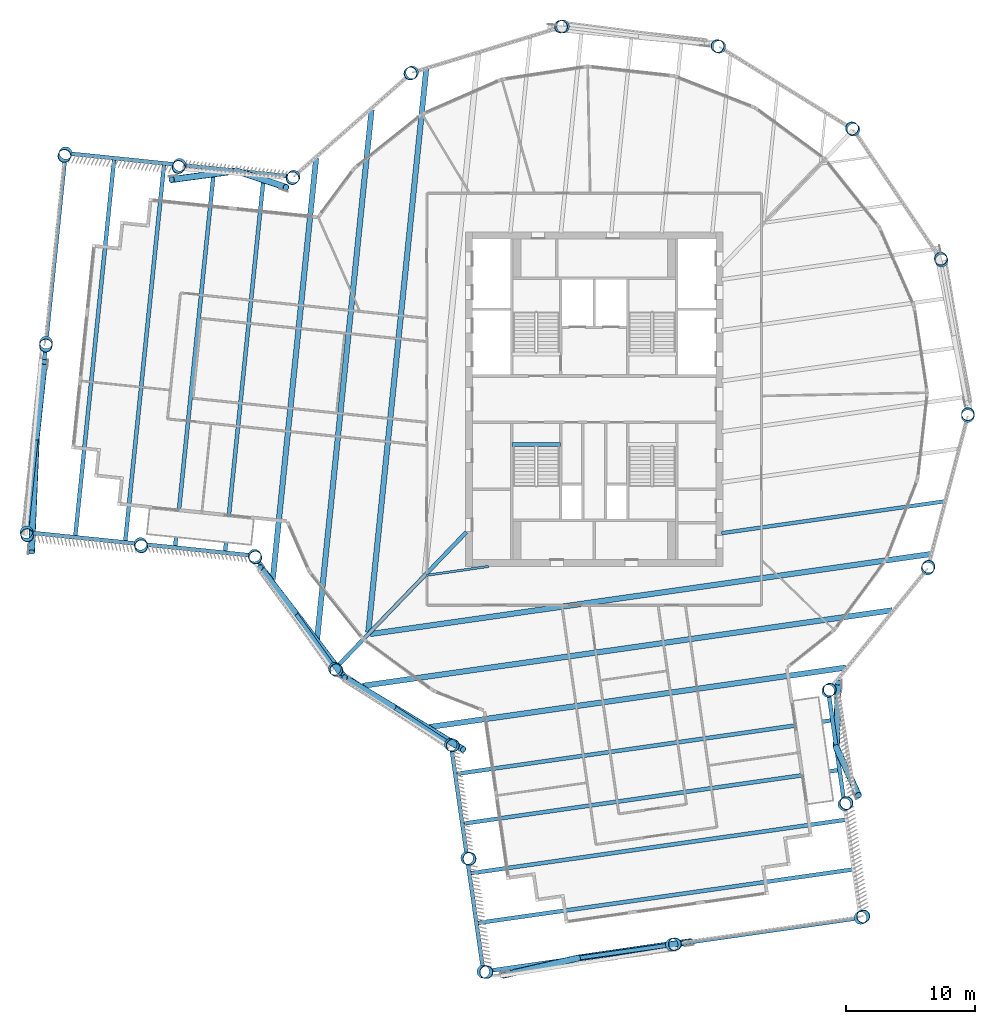
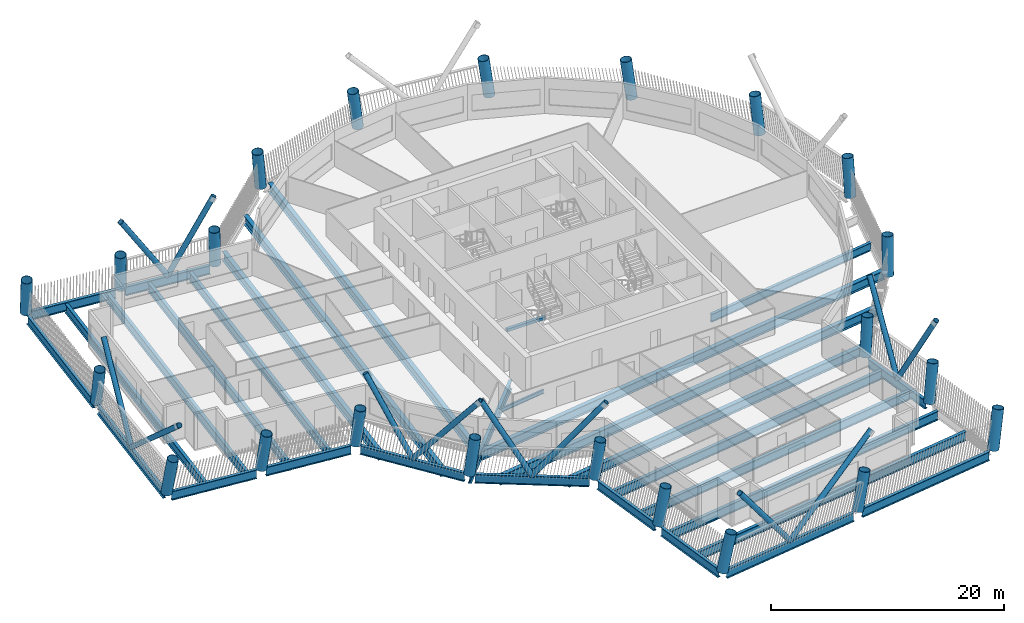
# One storey, part 1 of 22: 31 beams, 22 columns, 12 members.
"""IFC4 building model written with IfcOpenShell, lengths in metres."""

from ifc_helpers import new_model, si_unit, direction, frame, origin, origin_2d, place, context, subcontext, project, spatial, rectangle, hollow_circle, i_section, extrude, material, material_profile, profile_set, type_object, element, save


model = new_model("IFC4")

# Units and contexts
model_context = context("Model", 3, precision=1e-05, world=origin(), true_north=direction((0.0, 1.0)))
body_context = subcontext(model_context, "Body", "Model", "MODEL_VIEW")
ifc_project = project(units=[si_unit("LENGTHUNIT", "METRE"), si_unit("AREAUNIT", "SQUARE_METRE"), si_unit("VOLUMEUNIT", "CUBIC_METRE"), si_unit("PLANEANGLEUNIT", "RADIAN"), si_unit("MASSUNIT", "GRAM", prefix="KILO")], contexts=[model_context])

# Site, building, storey
site_placement = place(None, origin())
site = spatial("IfcSite", under=ifc_project, at=site_placement, CompositionType="ELEMENT")
building_placement = place(site_placement, origin())
building = spatial("IfcBuilding", under=site, at=building_placement, Name="Tarsis Ring Headquarters", CompositionType="ELEMENT")
storey_placement = place(building_placement, frame((0.0, 0.0, 263.0)))
storey = spatial("IfcBuildingStorey", under=building, at=storey_placement, Name="L61", CompositionType="ELEMENT", Elevation=263.0)

# Columns
ifc_material_1 = material(Name="Structural steel S355", Category="steel")
ifc_material_profile_1 = material_profile(ifc_material_1, hollow_circle(Radius=0.508056640625, WallThickness=0.0400390625, at=origin_2d()), Name="CHS 1016x40")
ifc_profile_set_1 = profile_set([ifc_material_profile_1], Name="Structural steel S355")
column_type = type_object("IfcColumnType", Name="XC Exo column CHS 1016x40", PredefinedType="COLUMN", material=ifc_profile_set_1)
for number, where, z_axis, x_axis, name in (
    (1, (-20.134765625, -20.93798828125, 0.001220703125), (0.093668433104, -0.088575056768, 0.991655526863), (0.687076138245, 0.726585425297, 0.0), "Exo column XC6 F1"),
    (2, (-11.120849609375, -26.83544921875, 0.001220703125), (0.119508111518, -0.048325005593, 0.991656445104), (0.374877293761, 0.927074438555, 0.0), "Exo column XC6 AK"),
):
    element("IfcColumn", number, at=place(storey_placement, frame(where, z_axis=z_axis, x_axis=x_axis)), inside=storey, type_object=column_type, Name=name, PredefinedType="COLUMN", context=body_context, shape_type="SweptSolid", body=[
        extrude(hollow_circle(Radius=0.508056640625, WallThickness=0.0400390625, at=origin_2d()), origin(), (0.0, 0.0, 1.0), 3.930419921875),
    ])
column_1_placement = place(storey_placement, frame((-9.863525390625, -35.6484375, 0.001220703125), z_axis=(0.157775390353, -0.042147597423, 0.986575139678), x_axis=(0.258086588588, 0.966121789833, 0.0)))
element("IfcColumn", 3, at=column_1_placement, inside=storey, type_object=column_type, Name="Exo column XC6 AI1", PredefinedType="COLUMN", context=body_context, shape_type="SweptSolid", body=[
    extrude(hollow_circle(Radius=0.508056640625, WallThickness=0.0400390625, at=origin_2d()), origin(), (0.0, 0.0, 1.0), 3.950439453125),
])
column_2_placement = place(storey_placement, frame((-8.60595703125, -44.46142578125, 0.00146484375), z_axis=(0.195315619967, -0.036042209658, 0.980077939615), x_axis=(0.181469289952, 0.983396612158, 0.0)))
element("IfcColumn", 4, at=column_2_placement, inside=storey, type_object=column_type, Name="Exo column XC6 AT1", PredefinedType="COLUMN", context=body_context, shape_type="SweptSolid", body=[
    extrude(hollow_circle(Radius=0.508056640625, WallThickness=0.0400390625, at=origin_2d()), origin(), (0.0, 0.0, 1.0), 3.97607421875),
])
column_3_placement = place(storey_placement, frame((6.045654296875, -42.370849609375, 0.00146484375), z_axis=(0.186005681244, 0.028180814426, 0.982144453858), x_axis=(-0.149795690786, 0.988716972152, 0.0)))
element("IfcColumn", 5, at=column_3_placement, inside=storey, type_object=column_type, Name="Exo column XC6 AT2", PredefinedType="COLUMN", context=body_context, shape_type="SweptSolid", body=[
    extrude(hollow_circle(Radius=0.508056640625, WallThickness=0.0400390625, at=origin_2d()), origin(), (0.0, 0.0, 1.0), 3.9677734375),
])
column_4_placement = place(storey_placement, frame((20.697265625, -40.2802734375, 0.00146484375), z_axis=(0.1758522037, 0.092285566397, 0.980081311264), x_axis=(-0.464688470375, 0.885474237627, 0.0)))
element("IfcColumn", 6, at=column_4_placement, inside=storey, type_object=column_type, Name="Exo column XC6 AT3", PredefinedType="COLUMN", context=body_context, shape_type="SweptSolid", body=[
    extrude(hollow_circle(Radius=0.508056640625, WallThickness=0.0400390625, at=origin_2d()), origin(), (0.0, 0.0, 1.0), 3.97607421875),
])
column_5_placement = place(storey_placement, frame((19.439697265625, -31.46728515625, 0.001220703125), z_axis=(0.138184995531, 0.087014523125, 0.986576596), x_axis=(-0.532853418673, 0.846207559768, 0.0)))
element("IfcColumn", 7, at=column_5_placement, inside=storey, type_object=column_type, Name="Exo column XC6 AO1", PredefinedType="COLUMN", context=body_context, shape_type="SweptSolid", body=[
    extrude(hollow_circle(Radius=0.508056640625, WallThickness=0.0400390625, at=origin_2d()), origin(), (0.0, 0.0, 1.0), 3.950439453125),
])
for number, where, z_axis, x_axis, name in (
    (8, (18.182373046875, -22.654296875, 0.001220703125), (0.099817969366, 0.081556312244, 0.991657673255), (-0.632712821232, 0.774386522254, 0.0), "Exo column XC6 AJ"),
    (9, (25.90380859375, -13.145751953125, 0.001220703125), (0.05733151109, 0.115470508252, 0.991655010354), (-0.895676376292, 0.444706452565, 0.0), "Exo column XC6 R1"),
    (10, (29.01953125, -1.2998046875, 0.001220703125), (0.004596466785, 0.128825298819, 0.991656651708), (-0.999364081409, 0.035657156232, 0.0), "Exo column XC6 R2"),
    (11, (26.975341796875, 10.77734375, 0.001220703125), (-0.048884156965, 0.119259950919, 0.991658914801), (-0.925285732033, -0.379270766203, 0.0), "Exo column XC6 R3"),
    (12, (20.134765625, 20.93798828125, 0.001220703125), (-0.093668433104, 0.088575056768, 0.991655526863), (-0.687076138245, -0.726585425297, 0.0), "Exo column XC6 R4"),
    (13, (9.71435546875, 27.3759765625, 0.001220703125), (-0.121868291211, 0.042051393043, 0.991655081135), (-0.326183706751, -0.945306399772, 0.0), "Exo column XC6 R5"),
    (14, (-2.433349609375, 28.946533203125, 0.001220703125), (-0.128389903236, -0.011925912637, 0.991652058615), (0.092490088147, -0.995713605207, 0.0), "Exo column XC6 R6"),
    (15, (-14.1484375, 25.3701171875, 0.001220703125), (-0.112053932449, -0.06379123538, 0.991652456515), (0.494737567664, -0.869042426549, 0.0), "Exo column XC6 R7"),
    (16, (-23.347900390625, 17.28271484375, 0.001220703125), (-0.075779516055, -0.104290006112, 0.99165571625), (0.808986039916, -0.587827855091, 0.0), "Exo column XC6 BJ"),
):
    element("IfcColumn", number, at=place(storey_placement, frame(where, z_axis=z_axis, x_axis=x_axis)), inside=storey, type_object=column_type, Name=name, PredefinedType="COLUMN", context=body_context, shape_type="SweptSolid", body=[
        extrude(hollow_circle(Radius=0.508056640625, WallThickness=0.0400390625, at=origin_2d()), origin(), (0.0, 0.0, 1.0), 3.930419921875),
    ])
column_6_placement = place(storey_placement, frame((-32.203369140625, 18.194580078125, 0.001220703125), z_axis=(-0.079103872655, -0.142881369983, 0.986573611771), x_axis=(0.874870301458, -0.484357260323, 0.0)))
element("IfcColumn", 17, at=column_6_placement, inside=storey, type_object=column_type, Name="Exo column XC6 BO1", PredefinedType="COLUMN", context=body_context, shape_type="SweptSolid", body=[
    extrude(hollow_circle(Radius=0.508056640625, WallThickness=0.0400390625, at=origin_2d()), origin(), (0.0, 0.0, 1.0), 3.950439453125),
])
column_7_placement = place(storey_placement, frame((-41.058837890625, 19.1064453125, 0.00146484375), z_axis=(-0.082216041714, -0.180764769833, 0.980083986438), x_axis=(0.910271153379, -0.414012593198, 0.0)))
element("IfcColumn", 18, at=column_7_placement, inside=storey, type_object=column_type, Name="Exo column XC6 BT3", PredefinedType="COLUMN", context=body_context, shape_type="SweptSolid", body=[
    extrude(hollow_circle(Radius=0.508056640625, WallThickness=0.0400390625, at=origin_2d()), origin(), (0.0, 0.0, 1.0), 3.97607421875),
])
column_8_placement = place(storey_placement, frame((-42.574951171875, 4.38427734375, 0.00146484375), z_axis=(-0.017597645164, -0.18729801356, 0.982145496859), x_axis=(0.995615207879, -0.093543347389, 0.0)))
element("IfcColumn", 19, at=column_8_placement, inside=storey, type_object=column_type, Name="Exo column XC6 BT2", PredefinedType="COLUMN", context=body_context, shape_type="SweptSolid", body=[
    extrude(hollow_circle(Radius=0.508056640625, WallThickness=0.0400390625, at=origin_2d()), origin(), (0.0, 0.0, 1.0), 3.9677734375),
])
column_9_placement = place(storey_placement, frame((-44.0908203125, -10.337890625, 0.00146484375), z_axis=(0.04697205992, -0.192923153293, 0.980088915614), x_axis=(0.971615756317, 0.236564625583, 0.0)))
element("IfcColumn", 20, at=column_9_placement, inside=storey, type_object=column_type, Name="Exo column XC6 BT1", PredefinedType="COLUMN", context=body_context, shape_type="SweptSolid", body=[
    extrude(hollow_circle(Radius=0.508056640625, WallThickness=0.0400390625, at=origin_2d()), origin(), (0.0, 0.0, 1.0), 3.97607421875),
])
column_10_placement = place(storey_placement, frame((-35.235595703125, -11.249755859375, 0.001220703125), z_axis=(0.051046851175, -0.155118155508, 0.986576189058), x_axis=(0.949887353335, 0.312592411894, 0.0)))
element("IfcColumn", 21, at=column_10_placement, inside=storey, type_object=column_type, Name="Exo column XC6 BI1", PredefinedType="COLUMN", context=body_context, shape_type="SweptSolid", body=[
    extrude(hollow_circle(Radius=0.508056640625, WallThickness=0.0400390625, at=origin_2d()), origin(), (0.0, 0.0, 1.0), 3.950439453125),
])
column_11_placement = place(storey_placement, frame((-26.380126953125, -12.16162109375, 0.001220703125), z_axis=(0.05497132159, -0.116588893361, 0.991657795687), x_axis=(0.904501744362, 0.426469922089, 0.0)))
element("IfcColumn", 22, at=column_11_placement, inside=storey, type_object=column_type, Name="Exo column XC6 BK", PredefinedType="COLUMN", context=body_context, shape_type="SweptSolid", body=[
    extrude(hollow_circle(Radius=0.508056640625, WallThickness=0.0400390625, at=origin_2d()), origin(), (0.0, 0.0, 1.0), 3.930419921875),
])

# Beams
ifc_material_profile_2 = material_profile(ifc_material_1, i_section(OverallWidth=0.177734375, OverallDepth=0.406494140625, WebThickness=0.0078125, FlangeThickness=0.0126953125, at=origin_2d()), Name="W16x40")
ifc_profile_set_2 = profile_set([ifc_material_profile_2], Name="Structural steel S355")
beam_type_1 = type_object("IfcBeamType", Name="FB Floor beam W16x40", PredefinedType="JOIST", material=ifc_profile_set_2)
beam_1_placement = place(storey_placement, frame((-13.0224609375, -13.676513671875, -0.36328125), z_axis=(0.989972449802, 0.141260569983, 0.0), x_axis=(-0.141260569983, 0.989972449802, 0.0)))
element("IfcBeam", 23, at=beam_1_placement, inside=storey, type_object=beam_type_1, Name="Floor beam FB1", PredefinedType="JOIST", context=body_context, shape_type="SweptSolid", body=[
    extrude(i_section(OverallWidth=0.177734375, OverallDepth=0.406494140625, WebThickness=0.0078125, FlangeThickness=0.0126953125, at=origin_2d()), origin(), (0.0, 0.0, 1.0), 4.889404296875),
])
ifc_material_profile_3 = material_profile(ifc_material_1, i_section(OverallWidth=0.2919921875, OverallDepth=0.835693359375, WebThickness=0.013916015625, FlangeThickness=0.018798828125, at=origin_2d()), Name="W33x118")
ifc_profile_set_3 = profile_set([ifc_material_profile_3], Name="Structural steel S355")
beam_type_2 = type_object("IfcBeamType", Name="FB Floor beam W33x118", PredefinedType="JOIST", material=ifc_profile_set_3)
beam_2_placement = place(storey_placement, frame((9.901123046875, -10.40576171875, -0.577880859375), z_axis=(0.989974055953, 0.141249313415, 0.0), x_axis=(-0.141249313415, 0.989974055953, 0.0)))
element("IfcBeam", 24, at=beam_2_placement, inside=storey, type_object=beam_type_2, Name="Floor beam FB7", PredefinedType="JOIST", context=body_context, shape_type="SweptSolid", body=[
    extrude(i_section(OverallWidth=0.2919921875, OverallDepth=0.835693359375, WebThickness=0.013916015625, FlangeThickness=0.018798828125, at=origin_2d()), origin(), (0.0, 0.0, 1.0), 17.483154296875),
])
ifc_material_profile_4 = material_profile(ifc_material_1, i_section(OverallWidth=0.309814453125, OverallDepth=0.949951171875, WebThickness=0.0244140625, FlangeThickness=0.0439453125, at=origin_2d()), Name="W36x256")
ifc_profile_set_4 = profile_set([ifc_material_profile_4], Name="Structural steel S355")
beam_type_3 = type_object("IfcBeamType", Name="FB Floor beam W36x256", PredefinedType="JOIST", material=ifc_profile_set_4)
for number, where, z_axis, x_axis, name in (
    (25, (-10.7412109375, -29.10888671875, -0.635009765625), (0.98997497596, 0.141242865211, 0.0), (-0.141242865211, 0.98997497596, 0.0), "Floor beam FB11"),
    (26, (-10.1904296875, -32.969970703125, -0.635009765625), (0.989973818343, 0.141250978739, 0.0), (-0.141250978739, 0.989973818343, 0.0), "Floor beam FB11"),
):
    element("IfcBeam", number, at=place(storey_placement, frame(where, z_axis=z_axis, x_axis=x_axis)), inside=storey, type_object=beam_type_3, Name=name, PredefinedType="JOIST", context=body_context, shape_type="SweptSolid", body=[
        extrude(i_section(OverallWidth=0.309814453125, OverallDepth=0.949951171875, WebThickness=0.0244140625, FlangeThickness=0.0439453125, at=origin_2d()), origin(), (0.0, 0.0, 1.0), 29.490234375),
    ])
beam_3_placement = place(storey_placement, frame((-9.639404296875, -36.830810546875, -0.635009765625), z_axis=(0.989974810802, 0.141244022806, 0.0), x_axis=(-0.141244022806, 0.989974810802, 0.0)))
element("IfcBeam", 27, at=beam_3_placement, inside=storey, type_object=beam_type_3, Name="Floor beam FB11", PredefinedType="JOIST", context=body_context, shape_type="SweptSolid", body=[
    extrude(i_section(OverallWidth=0.309814453125, OverallDepth=0.949951171875, WebThickness=0.0244140625, FlangeThickness=0.0439453125, at=origin_2d()), origin(), (0.0, 0.0, 1.0), 29.489990234375),
])
beam_4_placement = place(storey_placement, frame((-9.088623046875, -40.691650390625, -0.635009765625), z_axis=(0.98997497596, 0.141242865211, 0.0), x_axis=(-0.141242865211, 0.98997497596, 0.0)))
element("IfcBeam", 28, at=beam_4_placement, inside=storey, type_object=beam_type_3, Name="Floor beam FB11", PredefinedType="JOIST", context=body_context, shape_type="SweptSolid", body=[
    extrude(i_section(OverallWidth=0.309814453125, OverallDepth=0.949951171875, WebThickness=0.0244140625, FlangeThickness=0.0439453125, at=origin_2d()), origin(), (0.0, 0.0, 1.0), 29.490234375),
])
for number, where, z_axis, x_axis, name in (
    (29, (-25.645751953125, 17.464111328125, -0.635009765625), (-0.102450040527, -0.994738151071, 0.0), (0.994738151071, -0.102450040527, 0.0), "Floor beam FB11"),
    (30, (-29.525390625, 17.86376953125, -0.635009765625), (-0.102441004993, -0.994739081617, 0.0), (0.994739081617, -0.102441004993, 0.0), "Floor beam FB11"),
):
    element("IfcBeam", number, at=place(storey_placement, frame(where, z_axis=z_axis, x_axis=x_axis)), inside=storey, type_object=beam_type_3, Name=name, PredefinedType="JOIST", context=body_context, shape_type="SweptSolid", body=[
        extrude(i_section(OverallWidth=0.309814453125, OverallDepth=0.949951171875, WebThickness=0.0244140625, FlangeThickness=0.0439453125, at=origin_2d()), origin(), (0.0, 0.0, 1.0), 29.489990234375),
    ])
beam_5_placement = place(storey_placement, frame((-33.40478515625, 18.26318359375, -0.635009765625), z_axis=(-0.10244184862, -0.994738994738, 0.0), x_axis=(0.994738994738, -0.10244184862, 0.0)))
element("IfcBeam", 31, at=beam_5_placement, inside=storey, type_object=beam_type_3, Name="Floor beam FB11", PredefinedType="JOIST", context=body_context, shape_type="SweptSolid", body=[
    extrude(i_section(OverallWidth=0.309814453125, OverallDepth=0.949951171875, WebThickness=0.0244140625, FlangeThickness=0.0439453125, at=origin_2d()), origin(), (0.0, 0.0, 1.0), 29.48974609375),
])
beam_6_placement = place(storey_placement, frame((-37.2841796875, 18.662841796875, -0.635009765625), z_axis=(-0.102449196834, -0.994738237964, 0.0), x_axis=(0.994738237964, -0.102449196834, 0.0)))
element("IfcBeam", 32, at=beam_6_placement, inside=storey, type_object=beam_type_3, Name="Floor beam FB11", PredefinedType="JOIST", context=body_context, shape_type="SweptSolid", body=[
    extrude(i_section(OverallWidth=0.309814453125, OverallDepth=0.949951171875, WebThickness=0.0244140625, FlangeThickness=0.0439453125, at=origin_2d()), origin(), (0.0, 0.0, 1.0), 29.490234375),
])
beam_type_4 = type_object("IfcBeamType", Name="FB Floor beam W36x256 spine", PredefinedType="BEAM", material=ifc_profile_set_4)
beam_7_placement = place(storey_placement, frame((-9.9306640625, -10.32666015625, -0.635009765625), z_axis=(-0.693144649425, -0.72079851205, 0.0), x_axis=(0.72079851205, -0.693144649425, 0.0)))
element("IfcBeam", 33, at=beam_7_placement, inside=storey, type_object=beam_type_4, Name="Floor beam SB11", PredefinedType="BEAM", context=body_context, shape_type="SweptSolid", body=[
    extrude(i_section(OverallWidth=0.309814453125, OverallDepth=0.949951171875, WebThickness=0.0244140625, FlangeThickness=0.0439453125, at=origin_2d()), origin(), (0.0, 0.0, 1.0), 14.6640625),
])
ifc_material_profile_5 = material_profile(ifc_material_1, i_section(OverallWidth=0.42431640625, OverallDepth=0.947509765625, WebThickness=0.02392578125, FlangeThickness=0.042724609375, at=origin_2d()), Name="W36x302")
ifc_profile_set_5 = profile_set([ifc_material_profile_5], Name="Structural steel S355")
beam_type_5 = type_object("IfcBeamType", Name="FB Floor beam W36x302", PredefinedType="JOIST", material=ifc_profile_set_5)
beam_8_placement = place(storey_placement, frame((-17.413330078125, -18.242431640625, -0.6337890625), z_axis=(0.989974676474, 0.141244964297, 0.0), x_axis=(-0.141244964297, 0.989974676474, 0.0)))
element("IfcBeam", 34, at=beam_8_placement, inside=storey, type_object=beam_type_5, Name="Floor beam FB12", PredefinedType="JOIST", context=body_context, shape_type="SweptSolid", body=[
    extrude(i_section(OverallWidth=0.42431640625, OverallDepth=0.947509765625, WebThickness=0.02392578125, FlangeThickness=0.042724609375, at=origin_2d()), origin(), (0.0, 0.0, 1.0), 43.986572265625),
])
beam_9_placement = place(storey_placement, frame((-17.953369140625, -22.259033203125, -0.6337890625), z_axis=(0.989974759898, 0.141244379585, 0.0), x_axis=(-0.141244379585, 0.989974759898, 0.0)))
element("IfcBeam", 35, at=beam_9_placement, inside=storey, type_object=beam_type_5, Name="Floor beam FB12", PredefinedType="JOIST", context=body_context, shape_type="SweptSolid", body=[
    extrude(i_section(OverallWidth=0.42431640625, OverallDepth=0.947509765625, WebThickness=0.02392578125, FlangeThickness=0.042724609375, at=origin_2d()), origin(), (0.0, 0.0, 1.0), 41.523681640625),
])
beam_10_placement = place(storey_placement, frame((-13.010009765625, -25.4931640625, -0.6337890625), z_axis=(0.98997428219, 0.141247727781, 0.0), x_axis=(-0.141247727781, 0.98997428219, 0.0)))
element("IfcBeam", 36, at=beam_10_placement, inside=storey, type_object=beam_type_5, Name="Floor beam FB12", PredefinedType="JOIST", context=body_context, shape_type="SweptSolid", body=[
    extrude(i_section(OverallWidth=0.42431640625, OverallDepth=0.947509765625, WebThickness=0.02392578125, FlangeThickness=0.042724609375, at=origin_2d()), origin(), (0.0, 0.0, 1.0), 32.875244140625),
])
beam_11_placement = place(storey_placement, frame((-13.041748046875, 25.642333984375, -0.6337890625), z_axis=(-0.102442205464, -0.994738957988, 0.0), x_axis=(0.994738957988, -0.102442205464, 0.0)))
element("IfcBeam", 37, at=beam_11_placement, inside=storey, type_object=beam_type_5, Name="Floor beam FB12", PredefinedType="JOIST", context=body_context, shape_type="SweptSolid", body=[
    extrude(i_section(OverallWidth=0.42431640625, OverallDepth=0.947509765625, WebThickness=0.02392578125, FlangeThickness=0.042724609375, at=origin_2d()), origin(), (0.0, 0.0, 1.0), 43.98681640625),
])
beam_12_placement = place(storey_placement, frame((-17.286376953125, 22.49560546875, -0.6337890625), z_axis=(-0.102445390802, -0.994738629944, 0.0), x_axis=(0.994738629944, -0.102445390802, 0.0)))
element("IfcBeam", 38, at=beam_12_placement, inside=storey, type_object=beam_type_5, Name="Floor beam FB12", PredefinedType="JOIST", context=body_context, shape_type="SweptSolid", body=[
    extrude(i_section(OverallWidth=0.42431640625, OverallDepth=0.947509765625, WebThickness=0.02392578125, FlangeThickness=0.042724609375, at=origin_2d()), origin(), (0.0, 0.0, 1.0), 41.523681640625),
])
beam_13_placement = place(storey_placement, frame((-21.597412109375, 18.705810546875, -0.6337890625), z_axis=(-0.102445108224, -0.994738659046, 0.0), x_axis=(0.994738659046, -0.102445108224, 0.0)))
element("IfcBeam", 39, at=beam_13_placement, inside=storey, type_object=beam_type_5, Name="Floor beam FB12", PredefinedType="JOIST", context=body_context, shape_type="SweptSolid", body=[
    extrude(i_section(OverallWidth=0.42431640625, OverallDepth=0.947509765625, WebThickness=0.02392578125, FlangeThickness=0.042724609375, at=origin_2d()), origin(), (0.0, 0.0, 1.0), 32.875244140625),
])
ifc_material_2 = material(Name="Concrete C40/50", Category="concrete")
ifc_material_profile_6 = material_profile(ifc_material_2, rectangle(XDim=0.300048828125, YDim=0.300048828125, at=origin_2d()), Name="Stair head beam 300x300 C40/50")
ifc_profile_set_6 = profile_set([ifc_material_profile_6], Name="Concrete C40/50")
beam_type_6 = type_object("IfcBeamType", Name="Stair head beam 300x300 C40/50", PredefinedType="BEAM", material=ifc_profile_set_6)
beam_14_placement = place(storey_placement, frame((-6.39990234375, -3.510009765625, -0.31005859375), z_axis=(1.0, 0.0, 0.0), x_axis=(0.0, 1.0, 0.0)))
element("IfcBeam", 40, at=beam_14_placement, inside=storey, type_object=beam_type_6, Name="Stair head beam L61 Exit stair C", PredefinedType="BEAM", context=body_context, shape_type="SweptSolid", body=[
    extrude(rectangle(XDim=0.300048828125, YDim=0.300048828125, at=origin_2d()), origin(), (0.0, 0.0, 1.0), 3.7998046875),
])

# Members
ifc_material_profile_7 = material_profile(ifc_material_1, hollow_circle(Radius=0.25390625, WallThickness=0.02001953125, at=origin_2d()), Name="CHS 508x20")
ifc_profile_set_7 = profile_set([ifc_material_profile_7], Name="Structural steel S355")
member_type = type_object("IfcMemberType", Name="XD X brace CHS 508x20", PredefinedType="BRACE", material=ifc_profile_set_7)
member_1_placement = place(storey_placement, frame((-15.6279296875, -23.88671875, 0.0), z_axis=(0.540786897172, -0.329476912222, 0.773947347149), x_axis=(0.520295201453, 0.853986477261, 0.0)))
element("IfcMember", 41, at=member_1_placement, inside=storey, type_object=member_type, Name="X brace XD2", PredefinedType="BRACE", context=body_context, shape_type="SweptSolid", body=[
    extrude(hollow_circle(Radius=0.25390625, WallThickness=0.02001953125, at=origin_2d()), origin(), (0.0, 0.0, 1.0), 10.078369140625),
])
member_2_placement = place(storey_placement, frame((-15.6279296875, -23.88671875, 0.0), z_axis=(-0.420552163655, 0.252364030233, 0.871463294631), x_axis=(-0.514544826152, -0.857463481368, 0.0)))
element("IfcMember", 42, at=member_2_placement, inside=storey, type_object=member_type, Name="X brace XD2", PredefinedType="BRACE", context=body_context, shape_type="SweptSolid", body=[
    extrude(hollow_circle(Radius=0.25390625, WallThickness=0.02001953125, at=origin_2d()), origin(), (0.0, 0.0, 1.0), 8.950439453125),
])
member_3_placement = place(storey_placement, frame((-1.280517578125, -43.416015625, 0.0), z_axis=(0.743975763791, 0.108369628441, 0.659360361656), x_axis=(-0.144141699086, 0.989557057771, 0.0)))
element("IfcMember", 43, at=member_3_placement, inside=storey, type_object=member_type, Name="X brace XD2", PredefinedType="BRACE", context=body_context, shape_type="SweptSolid", body=[
    extrude(hollow_circle(Radius=0.25390625, WallThickness=0.02001953125, at=origin_2d()), origin(), (0.0, 0.0, 1.0), 11.829833984375),
])
member_4_placement = place(storey_placement, frame((-1.280517578125, -43.416015625, 0.0), z_axis=(-0.589209908645, -0.134678687909, 0.796676430289), x_axis=(0.22282816222, -0.974857738402, 0.0)))
element("IfcMember", 44, at=member_4_placement, inside=storey, type_object=member_type, Name="X brace XD2", PredefinedType="BRACE", context=body_context, shape_type="SweptSolid", body=[
    extrude(hollow_circle(Radius=0.25390625, WallThickness=0.02001953125, at=origin_2d()), origin(), (0.0, 0.0, 1.0), 9.790771484375),
])
member_5_placement = place(storey_placement, frame((18.810791015625, -27.06103515625, 0.0), z_axis=(0.016230496256, 0.543774150443, 0.839074635716), x_axis=(-0.999554849956, 0.029834576058, 0.0)))
element("IfcMember", 45, at=member_5_placement, inside=storey, type_object=member_type, Name="X brace XD2", PredefinedType="BRACE", context=body_context, shape_type="SweptSolid", body=[
    extrude(hollow_circle(Radius=0.25390625, WallThickness=0.02001953125, at=origin_2d()), origin(), (0.0, 0.0, 1.0), 9.2958984375),
])
member_6_placement = place(storey_placement, frame((18.810791015625, -27.06103515625, 0.0), z_axis=(0.19477435071, -0.421183937599, 0.885814338908), x_axis=(0.907646105053, 0.419736283852, 0.0)))
element("IfcMember", 46, at=member_6_placement, inside=storey, type_object=member_type, Name="X brace XD2", PredefinedType="BRACE", context=body_context, shape_type="SweptSolid", body=[
    extrude(hollow_circle(Radius=0.25390625, WallThickness=0.02001953125, at=origin_2d()), origin(), (0.0, 0.0, 1.0), 8.805419921875),
])
member_7_placement = place(storey_placement, frame((-27.775634765625, 17.73876953125, 0.0), z_axis=(-0.541493693409, -0.072903464435, 0.837537858769), x_axis=(0.133430137205, -0.991058221542, 0.0)))
element("IfcMember", 47, at=member_7_placement, inside=storey, type_object=member_type, Name="X brace XD2", PredefinedType="BRACE", context=body_context, shape_type="SweptSolid", body=[
    extrude(hollow_circle(Radius=0.25390625, WallThickness=0.02001953125, at=origin_2d()), origin(), (0.0, 0.0, 1.0), 9.31298828125),
])
member_8_placement = place(storey_placement, frame((-27.775634765625, 17.73876953125, 0.0), z_axis=(0.436857963236, -0.145804540261, 0.887635148018), x_axis=(0.316589697685, 0.94856257744, 0.0)))
element("IfcMember", 48, at=member_8_placement, inside=storey, type_object=member_type, Name="X brace XD2", PredefinedType="BRACE", context=body_context, shape_type="SweptSolid", body=[
    extrude(hollow_circle(Radius=0.25390625, WallThickness=0.02001953125, at=origin_2d()), origin(), (0.0, 0.0, 1.0), 8.787353515625),
])
member_9_placement = place(storey_placement, frame((-43.3330078125, -2.976318359375, 0.0), z_axis=(-0.031293060454, -0.751446015966, 0.659052068851), x_axis=(0.99913402353, -0.041607727948, 0.0)))
element("IfcMember", 49, at=member_9_placement, inside=storey, type_object=member_type, Name="X brace XD2", PredefinedType="BRACE", context=body_context, shape_type="SweptSolid", body=[
    extrude(hollow_circle(Radius=0.25390625, WallThickness=0.02001953125, at=origin_2d()), origin(), (0.0, 0.0, 1.0), 11.835205078125),
])
member_10_placement = place(storey_placement, frame((-43.3330078125, -2.976318359375, 0.0), z_axis=(0.064503851727, 0.600222688372, 0.797227682332), x_axis=(-0.994275013267, 0.106851289153, 0.0)))
element("IfcMember", 50, at=member_10_placement, inside=storey, type_object=member_type, Name="X brace XD2", PredefinedType="BRACE", context=body_context, shape_type="SweptSolid", body=[
    extrude(hollow_circle(Radius=0.25390625, WallThickness=0.02001953125, at=origin_2d()), origin(), (0.0, 0.0, 1.0), 9.783935546875),
])
member_11_placement = place(storey_placement, frame((-23.257568359375, -16.5498046875, 0.0), z_axis=(0.383548645484, -0.503872407381, 0.773952862665), x_axis=(0.795701236606, 0.605689311499, 0.0)))
element("IfcMember", 51, at=member_11_placement, inside=storey, type_object=member_type, Name="X brace XD2", PredefinedType="BRACE", context=body_context, shape_type="SweptSolid", body=[
    extrude(hollow_circle(Radius=0.25390625, WallThickness=0.02001953125, at=origin_2d()), origin(), (0.0, 0.0, 1.0), 10.078125),
])
member_12_placement = place(storey_placement, frame((-23.257568359375, -16.5498046875, 0.0), z_axis=(-0.299663531313, 0.388258757029, 0.871468247036), x_axis=(-0.791634682777, -0.61099470458, 0.0)))
element("IfcMember", 52, at=member_12_placement, inside=storey, type_object=member_type, Name="X brace XD2", PredefinedType="BRACE", context=body_context, shape_type="SweptSolid", body=[
    extrude(hollow_circle(Radius=0.25390625, WallThickness=0.02001953125, at=origin_2d()), origin(), (0.0, 0.0, 1.0), 8.950439453125),
])

# Beams
ifc_material_profile_8 = material_profile(ifc_material_1, i_section(OverallWidth=0.309814453125, OverallDepth=0.93212890625, WebThickness=0.02099609375, FlangeThickness=0.034423828125, at=origin_2d()), Name="W36x210")
ifc_profile_set_8 = profile_set([ifc_material_profile_8], Name="Structural steel S355")
beam_type_7 = type_object("IfcBeamType", Name="XG Ring girder W36x210", PredefinedType="BEAM", material=ifc_profile_set_8)
beam_15_placement = place(storey_placement, frame((-19.75244140625, -21.188232421875, -0.466064453125), z_axis=(0.836816433918, -0.547483566808, 0.0), x_axis=(0.547483566808, 0.836816433918, 0.0)))
element("IfcBeam", 53, at=beam_15_placement, inside=storey, type_object=beam_type_7, Name="Ring girder XG3", PredefinedType="BEAM", context=body_context, shape_type="SweptSolid", body=[
    extrude(i_section(OverallWidth=0.309814453125, OverallDepth=0.93212890625, WebThickness=0.02099609375, FlangeThickness=0.034423828125, at=origin_2d()), origin(), (0.0, 0.0, 1.0), 9.857421875),
])
for number, where, z_axis, x_axis, name in (
    (54, (-11.056396484375, -27.2880859375, -0.466064453125), (0.141237357065, -0.989975761809, 0.0), (0.989975761809, 0.141237357065, 0.0), "Ring girder XG3"),
    (55, (-9.799072265625, -36.10107421875, -0.466064453125), (0.141237357065, -0.989975761809, 0.0), (0.989975761809, 0.141237357065, 0.0), "Ring girder XG3"),
):
    element("IfcBeam", number, at=place(storey_placement, frame(where, z_axis=z_axis, x_axis=x_axis)), inside=storey, type_object=beam_type_7, Name=name, PredefinedType="BEAM", context=body_context, shape_type="SweptSolid", body=[
        extrude(i_section(OverallWidth=0.309814453125, OverallDepth=0.93212890625, WebThickness=0.02099609375, FlangeThickness=0.034423828125, at=origin_2d()), origin(), (0.0, 0.0, 1.0), 7.98779296875),
    ])
for number, where, z_axis, x_axis, name in (
    (56, (-8.153564453125, -44.396728515625, -0.466064453125), (0.989975498815, 0.141239200461, 0.0), (-0.141239200461, 0.989975498815, 0.0), "Ring girder XG3"),
    (57, (6.498046875, -42.306396484375, -0.466064453125), (0.989973040244, 0.141256432028, 0.0), (-0.141256432028, 0.989973040244, 0.0), "Ring girder XG3"),
):
    element("IfcBeam", number, at=place(storey_placement, frame(where, z_axis=z_axis, x_axis=x_axis)), inside=storey, type_object=beam_type_7, Name=name, PredefinedType="BEAM", context=body_context, shape_type="SweptSolid", body=[
        extrude(i_section(OverallWidth=0.309814453125, OverallDepth=0.93212890625, WebThickness=0.02099609375, FlangeThickness=0.034423828125, at=origin_2d()), origin(), (0.0, 0.0, 1.0), 13.885498046875),
    ])
for number, where, z_axis, x_axis, name in (
    (58, (19.375, -31.014892578125, -0.466064453125), (-0.141237357065, 0.989975761809, 0.0), (-0.989975761809, -0.141237357065, 0.0), "Ring girder XG3"),
    (59, (-23.802734375, 17.32958984375, -0.466064453125), (-0.994738078226, 0.10245074781, 0.0), (-0.10245074781, -0.994738078226, 0.0), "Ring girder XG3"),
    (60, (-32.657958984375, 18.24169921875, -0.466064453125), (-0.994738078226, 0.10245074781, 0.0), (-0.10245074781, -0.994738078226, 0.0), "Ring girder XG3"),
):
    element("IfcBeam", number, at=place(storey_placement, frame(where, z_axis=z_axis, x_axis=x_axis)), inside=storey, type_object=beam_type_7, Name=name, PredefinedType="BEAM", context=body_context, shape_type="SweptSolid", body=[
        extrude(i_section(OverallWidth=0.309814453125, OverallDepth=0.93212890625, WebThickness=0.02099609375, FlangeThickness=0.034423828125, at=origin_2d()), origin(), (0.0, 0.0, 1.0), 7.98779296875),
    ])
beam_16_placement = place(storey_placement, frame((-41.10546875, 18.652099609375, -0.466064453125), z_axis=(-0.102450447392, -0.994738109167, 0.0), x_axis=(0.994738109167, -0.102450447392, 0.0)))
element("IfcBeam", 61, at=beam_16_placement, inside=storey, type_object=beam_type_7, Name="Ring girder XG3", PredefinedType="BEAM", context=body_context, shape_type="SweptSolid", body=[
    extrude(i_section(OverallWidth=0.309814453125, OverallDepth=0.93212890625, WebThickness=0.02099609375, FlangeThickness=0.034423828125, at=origin_2d()), origin(), (0.0, 0.0, 1.0), 13.8857421875),
])
beam_17_placement = place(storey_placement, frame((-42.62158203125, 3.929931640625, -0.466064453125), z_axis=(-0.102452239231, -0.99473792462, 0.0), x_axis=(0.99473792462, -0.102452239231, 0.0)))
element("IfcBeam", 62, at=beam_17_placement, inside=storey, type_object=beam_type_7, Name="Ring girder XG3", PredefinedType="BEAM", context=body_context, shape_type="SweptSolid", body=[
    extrude(i_section(OverallWidth=0.309814453125, OverallDepth=0.93212890625, WebThickness=0.02099609375, FlangeThickness=0.034423828125, at=origin_2d()), origin(), (0.0, 0.0, 1.0), 13.885498046875),
])
for number, where, z_axis, x_axis, name in (
    (63, (-43.63623046875, -10.38427734375, -0.466064453125), (0.994738078226, -0.10245074781, 0.0), (0.10245074781, 0.994738078226, 0.0), "Ring girder XG3"),
    (64, (-34.78076171875, -11.29638671875, -0.466064453125), (0.994741192611, -0.102420504407, 0.0), (0.102420504407, 0.994741192611, 0.0), "Ring girder XG3"),
):
    element("IfcBeam", number, at=place(storey_placement, frame(where, z_axis=z_axis, x_axis=x_axis)), inside=storey, type_object=beam_type_7, Name=name, PredefinedType="BEAM", context=body_context, shape_type="SweptSolid", body=[
        extrude(i_section(OverallWidth=0.309814453125, OverallDepth=0.93212890625, WebThickness=0.02099609375, FlangeThickness=0.034423828125, at=origin_2d()), origin(), (0.0, 0.0, 1.0), 7.98779296875),
    ])
beam_18_placement = place(storey_placement, frame((-26.115234375, -12.533935546875, -0.466064453125), z_axis=(0.579780001578, -0.814773066424, 0.0), x_axis=(0.814773066424, 0.579780001578, 0.0)))
element("IfcBeam", 65, at=beam_18_placement, inside=storey, type_object=beam_type_7, Name="Ring girder XG3", PredefinedType="BEAM", context=body_context, shape_type="SweptSolid", body=[
    extrude(i_section(OverallWidth=0.309814453125, OverallDepth=0.93212890625, WebThickness=0.02099609375, FlangeThickness=0.034423828125, at=origin_2d()), origin(), (0.0, 0.0, 1.0), 9.857421875),
])

save(model, "model.ifc")
